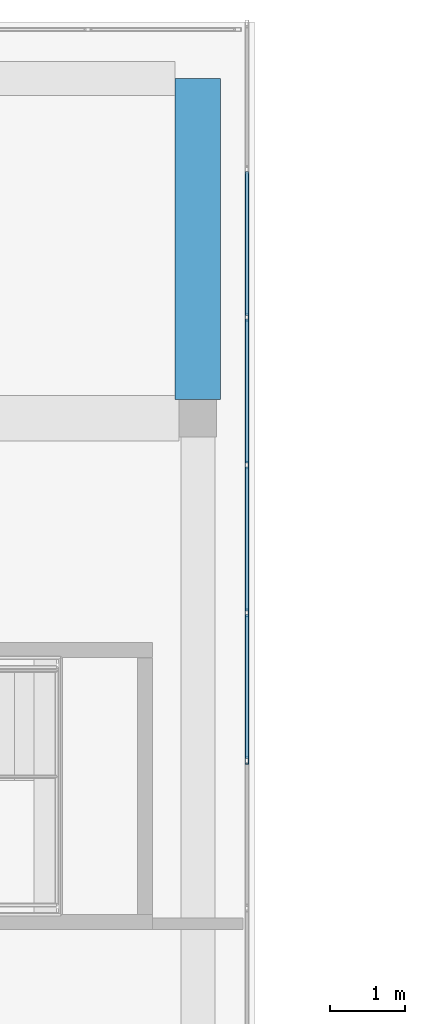
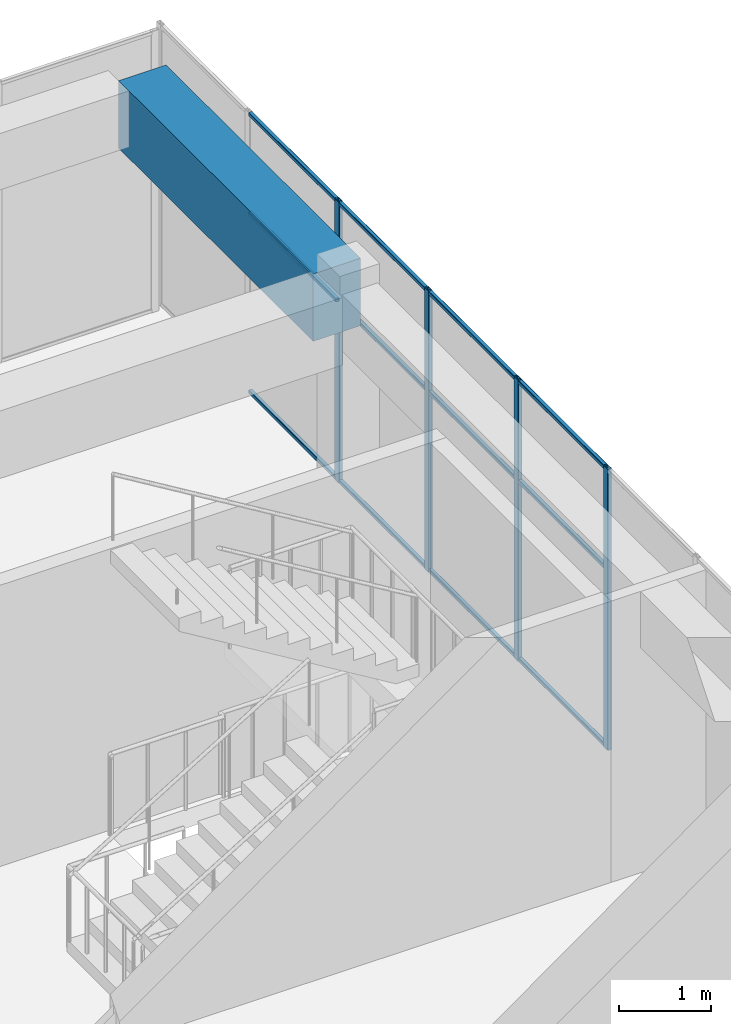
# One storey, part 25 of 34: 16 members, 1 beam, 1 element without a shape of its own.
"""IFC4 building model written with IfcOpenShell, lengths in metres."""

from ifc_helpers import new_model, si_unit, direction, frame, origin, origin_2d, place, context, subcontext, project, spatial, rectangle, hollow_rectangle, extrude, material, layer, layer_set, material_profile, profile_set, type_object, element, aggregate, save


model = new_model("IFC4")

# Units and contexts
model_context = context("Model", 3, precision=1e-05, world=origin(), true_north=direction((0.0, 1.0)))
body_context = subcontext(model_context, "Body", "Model", "MODEL_VIEW")
ifc_project = project(units=[si_unit("LENGTHUNIT", "METRE"), si_unit("AREAUNIT", "SQUARE_METRE"), si_unit("VOLUMEUNIT", "CUBIC_METRE"), si_unit("PLANEANGLEUNIT", "RADIAN"), si_unit("MASSUNIT", "GRAM", prefix="KILO")], contexts=[model_context])

# Site, building, storey
site_placement = place(None, origin())
site = spatial("IfcSite", under=ifc_project, at=site_placement, CompositionType="ELEMENT")
building_placement = place(site_placement, origin())
building = spatial("IfcBuilding", under=site, at=building_placement, Name="Tuart Plaza Theatre", CompositionType="ELEMENT")
storey_placement = place(building_placement, frame((0.0, 0.0, 57.5)))
storey = spatial("IfcBuildingStorey", under=building, at=storey_placement, Name="L14", CompositionType="ELEMENT", Elevation=57.5)

# Beam
ifc_material_1 = material(Name="Concrete N40 (40 MPa)", Category="concrete")
ifc_material_profile_1 = material_profile(ifc_material_1, rectangle(XDim=0.60009765625, YDim=0.89990234375, at=origin_2d()), Name="BEAM 600x900 Concrete N40 (40 MPa)")
ifc_profile_set_1 = profile_set([ifc_material_profile_1], Name="Concrete N40 (40 MPa)")
beam_type = type_object("IfcBeamType", Name="BEAM 600x900 Concrete N40 (40 MPa)", PredefinedType="BEAM", material=ifc_profile_set_1)
beam_placement = place(storey_placement, frame((141.0, 92.25, 3.300048828125), z_axis=(0.0, 1.0, 0.0), x_axis=(-1.0, 0.0, 0.0)))
element("IfcBeam", 1, at=beam_placement, inside=storey, type_object=beam_type, Name="RB341", PredefinedType="BEAM", context=body_context, shape_type="SweptSolid", body=[
    extrude(rectangle(XDim=0.60009765625, YDim=0.89990234375, at=origin_2d()), origin(), (0.0, 0.0, 1.0), 4.25),
])

# Curtain wall, members
ifc_material_2 = material(Name="Aluminium and glass", Category="aluminium")
ifc_layer = layer(ifc_material_2, 0.10009765625)
ifc_layer_set = layer_set([ifc_layer], Name="CURTAIN WALL 2000 module")
curtain_wall_type = type_object("IfcCurtainWallType", Name="CURTAIN WALL 2000 module", PredefinedType="NOTDEFINED", material=ifc_layer_set)
curtain_wall_placement = place(storey_placement, origin())
curtain_wall = element("IfcCurtainWall", 2, at=curtain_wall_placement, inside=storey, type_object=curtain_wall_type, Name="CW116", PredefinedType="NOTDEFINED")
ifc_material_3 = material(Name="Aluminium 6063-T5", Category="aluminium")
ifc_material_profile_2 = material_profile(ifc_material_3, hollow_rectangle(XDim=0.050048828125, YDim=0.10009765625, WallThickness=0.00390625, InnerFilletRadius=0.00390625, OuterFilletRadius=0.008056640625, at=origin_2d()), Name="RHS 100x50x4")
ifc_profile_set_2 = profile_set([ifc_material_profile_2], Name="Aluminium 6063-T5")
member_type_1 = type_object("IfcMemberType", Name="MULLION RHS 100x50x4", PredefinedType="MULLION", material=ifc_profile_set_2)
member_1_placement = place(storey_placement, frame((141.64990234375, 87.46435546875, 0.0), z_axis=(0.0, 0.0, 1.0), x_axis=(-1.0, 0.0, 0.0)))
member_1 = element("IfcMember", 3, at=member_1_placement, type_object=member_type_1, Name="CW116 mullion 3", PredefinedType="MULLION", context=body_context, shape_type="SweptSolid", body=[
    extrude(hollow_rectangle(XDim=0.050048828125, YDim=0.10009765625, WallThickness=0.00390625, InnerFilletRadius=0.00390625, OuterFilletRadius=0.008056640625, at=origin_2d()), origin(), (0.0, 0.0, 1.0), 3.75),
])
member_2_placement = place(storey_placement, frame((141.64990234375, 89.42138671875, 0.0), z_axis=(0.0, 0.0, 1.0), x_axis=(-1.0, 0.0, 0.0)))
member_2 = element("IfcMember", 4, at=member_2_placement, type_object=member_type_1, Name="CW116 mullion 4", PredefinedType="MULLION", context=body_context, shape_type="SweptSolid", body=[
    extrude(hollow_rectangle(XDim=0.050048828125, YDim=0.10009765625, WallThickness=0.00390625, InnerFilletRadius=0.00390625, OuterFilletRadius=0.008056640625, at=origin_2d()), origin(), (0.0, 0.0, 1.0), 3.75),
])
member_3_placement = place(storey_placement, frame((141.64990234375, 91.378662109375, 0.0), z_axis=(0.0, 0.0, 1.0), x_axis=(-1.0, 0.0, 0.0)))
member_3 = element("IfcMember", 5, at=member_3_placement, type_object=member_type_1, Name="CW116 mullion 5", PredefinedType="MULLION", context=body_context, shape_type="SweptSolid", body=[
    extrude(hollow_rectangle(XDim=0.050048828125, YDim=0.10009765625, WallThickness=0.00390625, InnerFilletRadius=0.00390625, OuterFilletRadius=0.008056640625, at=origin_2d()), origin(), (0.0, 0.0, 1.0), 3.75),
])
member_4_placement = place(storey_placement, frame((141.64990234375, 93.335693359375, 0.0), z_axis=(0.0, 0.0, 1.0), x_axis=(-1.0, 0.0, 0.0)))
member_4 = element("IfcMember", 6, at=member_4_placement, type_object=member_type_1, Name="CW116 mullion 6", PredefinedType="MULLION", context=body_context, shape_type="SweptSolid", body=[
    extrude(hollow_rectangle(XDim=0.050048828125, YDim=0.10009765625, WallThickness=0.00390625, InnerFilletRadius=0.00390625, OuterFilletRadius=0.008056640625, at=origin_2d()), origin(), (0.0, 0.0, 1.0), 3.75),
])
ifc_material_4 = material(Name="Aluminium 6063-T5", Category="aluminium")
ifc_material_profile_3 = material_profile(ifc_material_4, hollow_rectangle(XDim=0.050048828125, YDim=0.050048828125, WallThickness=0.00390625, InnerFilletRadius=0.00390625, OuterFilletRadius=0.008056640625, at=origin_2d()), Name="RHS 50x50x4")
ifc_profile_set_3 = profile_set([ifc_material_profile_3], Name="Aluminium 6063-T5")
member_type_2 = type_object("IfcMemberType", Name="TRANSOM RHS 50x50x4", PredefinedType="USERDEFINED", material=ifc_profile_set_3)
member_5_placement = place(storey_placement, frame((141.64990234375, 87.4892578125, 0.02490234375), z_axis=(0.0, 1.0, 0.0), x_axis=(-1.0, 0.0, 0.0)))
member_5 = element("IfcMember", 7, at=member_5_placement, type_object=member_type_2, Name="CW116 transom 3.1", ObjectType="TRANSOM", PredefinedType="USERDEFINED", context=body_context, shape_type="SweptSolid", body=[
    extrude(hollow_rectangle(XDim=0.050048828125, YDim=0.050048828125, WallThickness=0.00390625, InnerFilletRadius=0.00390625, OuterFilletRadius=0.008056640625, at=origin_2d()), origin(), (0.0, 0.0, 1.0), 1.9072265625),
])
member_6_placement = place(storey_placement, frame((141.64990234375, 87.4892578125, 2.39990234375), z_axis=(0.0, 1.0, 0.0), x_axis=(-1.0, 0.0, 0.0)))
member_6 = element("IfcMember", 8, at=member_6_placement, type_object=member_type_2, Name="CW116 transom 3.2", ObjectType="TRANSOM", PredefinedType="USERDEFINED", context=body_context, shape_type="SweptSolid", body=[
    extrude(hollow_rectangle(XDim=0.050048828125, YDim=0.050048828125, WallThickness=0.00390625, InnerFilletRadius=0.00390625, OuterFilletRadius=0.008056640625, at=origin_2d()), origin(), (0.0, 0.0, 1.0), 1.9072265625),
])
member_7_placement = place(storey_placement, frame((141.64990234375, 87.4892578125, 3.72509765625), z_axis=(0.0, 1.0, 0.0), x_axis=(-1.0, 0.0, 0.0)))
member_7 = element("IfcMember", 9, at=member_7_placement, type_object=member_type_2, Name="CW116 transom 3.3", ObjectType="TRANSOM", PredefinedType="USERDEFINED", context=body_context, shape_type="SweptSolid", body=[
    extrude(hollow_rectangle(XDim=0.050048828125, YDim=0.050048828125, WallThickness=0.00390625, InnerFilletRadius=0.00390625, OuterFilletRadius=0.008056640625, at=origin_2d()), origin(), (0.0, 0.0, 1.0), 1.9072265625),
])
member_8_placement = place(storey_placement, frame((141.64990234375, 89.446533203125, 0.02490234375), z_axis=(0.0, 1.0, 0.0), x_axis=(-1.0, 0.0, 0.0)))
member_8 = element("IfcMember", 10, at=member_8_placement, type_object=member_type_2, Name="CW116 transom 4.1", ObjectType="TRANSOM", PredefinedType="USERDEFINED", context=body_context, shape_type="SweptSolid", body=[
    extrude(hollow_rectangle(XDim=0.050048828125, YDim=0.050048828125, WallThickness=0.00390625, InnerFilletRadius=0.00390625, OuterFilletRadius=0.008056640625, at=origin_2d()), origin(), (0.0, 0.0, 1.0), 1.906982421875),
])
member_9_placement = place(storey_placement, frame((141.64990234375, 89.446533203125, 2.39990234375), z_axis=(0.0, 1.0, 0.0), x_axis=(-1.0, 0.0, 0.0)))
member_9 = element("IfcMember", 11, at=member_9_placement, type_object=member_type_2, Name="CW116 transom 4.2", ObjectType="TRANSOM", PredefinedType="USERDEFINED", context=body_context, shape_type="SweptSolid", body=[
    extrude(hollow_rectangle(XDim=0.050048828125, YDim=0.050048828125, WallThickness=0.00390625, InnerFilletRadius=0.00390625, OuterFilletRadius=0.008056640625, at=origin_2d()), origin(), (0.0, 0.0, 1.0), 1.906982421875),
])
member_10_placement = place(storey_placement, frame((141.64990234375, 89.446533203125, 3.72509765625), z_axis=(0.0, 1.0, 0.0), x_axis=(-1.0, 0.0, 0.0)))
member_10 = element("IfcMember", 12, at=member_10_placement, type_object=member_type_2, Name="CW116 transom 4.3", ObjectType="TRANSOM", PredefinedType="USERDEFINED", context=body_context, shape_type="SweptSolid", body=[
    extrude(hollow_rectangle(XDim=0.050048828125, YDim=0.050048828125, WallThickness=0.00390625, InnerFilletRadius=0.00390625, OuterFilletRadius=0.008056640625, at=origin_2d()), origin(), (0.0, 0.0, 1.0), 1.906982421875),
])
member_11_placement = place(storey_placement, frame((141.64990234375, 91.403564453125, 0.02490234375), z_axis=(0.0, 1.0, 0.0), x_axis=(-1.0, 0.0, 0.0)))
member_11 = element("IfcMember", 13, at=member_11_placement, type_object=member_type_2, Name="CW116 transom 5.1", ObjectType="TRANSOM", PredefinedType="USERDEFINED", context=body_context, shape_type="SweptSolid", body=[
    extrude(hollow_rectangle(XDim=0.050048828125, YDim=0.050048828125, WallThickness=0.00390625, InnerFilletRadius=0.00390625, OuterFilletRadius=0.008056640625, at=origin_2d()), origin(), (0.0, 0.0, 1.0), 1.9072265625),
])
member_12_placement = place(storey_placement, frame((141.64990234375, 91.403564453125, 2.39990234375), z_axis=(0.0, 1.0, 0.0), x_axis=(-1.0, 0.0, 0.0)))
member_12 = element("IfcMember", 14, at=member_12_placement, type_object=member_type_2, Name="CW116 transom 5.2", ObjectType="TRANSOM", PredefinedType="USERDEFINED", context=body_context, shape_type="SweptSolid", body=[
    extrude(hollow_rectangle(XDim=0.050048828125, YDim=0.050048828125, WallThickness=0.00390625, InnerFilletRadius=0.00390625, OuterFilletRadius=0.008056640625, at=origin_2d()), origin(), (0.0, 0.0, 1.0), 1.9072265625),
])
member_13_placement = place(storey_placement, frame((141.64990234375, 91.403564453125, 3.72509765625), z_axis=(0.0, 1.0, 0.0), x_axis=(-1.0, 0.0, 0.0)))
member_13 = element("IfcMember", 15, at=member_13_placement, type_object=member_type_2, Name="CW116 transom 5.3", ObjectType="TRANSOM", PredefinedType="USERDEFINED", context=body_context, shape_type="SweptSolid", body=[
    extrude(hollow_rectangle(XDim=0.050048828125, YDim=0.050048828125, WallThickness=0.00390625, InnerFilletRadius=0.00390625, OuterFilletRadius=0.008056640625, at=origin_2d()), origin(), (0.0, 0.0, 1.0), 1.9072265625),
])
member_14_placement = place(storey_placement, frame((141.64990234375, 93.360595703125, 0.02490234375), z_axis=(0.0, 1.0, 0.0), x_axis=(-1.0, 0.0, 0.0)))
member_14 = element("IfcMember", 16, at=member_14_placement, type_object=member_type_2, Name="CW116 transom 6.1", ObjectType="TRANSOM", PredefinedType="USERDEFINED", context=body_context, shape_type="SweptSolid", body=[
    extrude(hollow_rectangle(XDim=0.050048828125, YDim=0.050048828125, WallThickness=0.00390625, InnerFilletRadius=0.00390625, OuterFilletRadius=0.008056640625, at=origin_2d()), origin(), (0.0, 0.0, 1.0), 1.9072265625),
])
member_15_placement = place(storey_placement, frame((141.64990234375, 93.360595703125, 2.39990234375), z_axis=(0.0, 1.0, 0.0), x_axis=(-1.0, 0.0, 0.0)))
member_15 = element("IfcMember", 17, at=member_15_placement, type_object=member_type_2, Name="CW116 transom 6.2", ObjectType="TRANSOM", PredefinedType="USERDEFINED", context=body_context, shape_type="SweptSolid", body=[
    extrude(hollow_rectangle(XDim=0.050048828125, YDim=0.050048828125, WallThickness=0.00390625, InnerFilletRadius=0.00390625, OuterFilletRadius=0.008056640625, at=origin_2d()), origin(), (0.0, 0.0, 1.0), 1.9072265625),
])
member_16_placement = place(storey_placement, frame((141.64990234375, 93.360595703125, 3.72509765625), z_axis=(0.0, 1.0, 0.0), x_axis=(-1.0, 0.0, 0.0)))
member_16 = element("IfcMember", 18, at=member_16_placement, type_object=member_type_2, Name="CW116 transom 6.3", ObjectType="TRANSOM", PredefinedType="USERDEFINED", context=body_context, shape_type="SweptSolid", body=[
    extrude(hollow_rectangle(XDim=0.050048828125, YDim=0.050048828125, WallThickness=0.00390625, InnerFilletRadius=0.00390625, OuterFilletRadius=0.008056640625, at=origin_2d()), origin(), (0.0, 0.0, 1.0), 1.9072265625),
])
aggregate(curtain_wall, [member_1, member_2, member_3, member_4, member_5, member_6, member_7, member_8, member_9, member_10, member_11, member_12, member_13, member_14, member_15, member_16])

save(model, "model.ifc")
